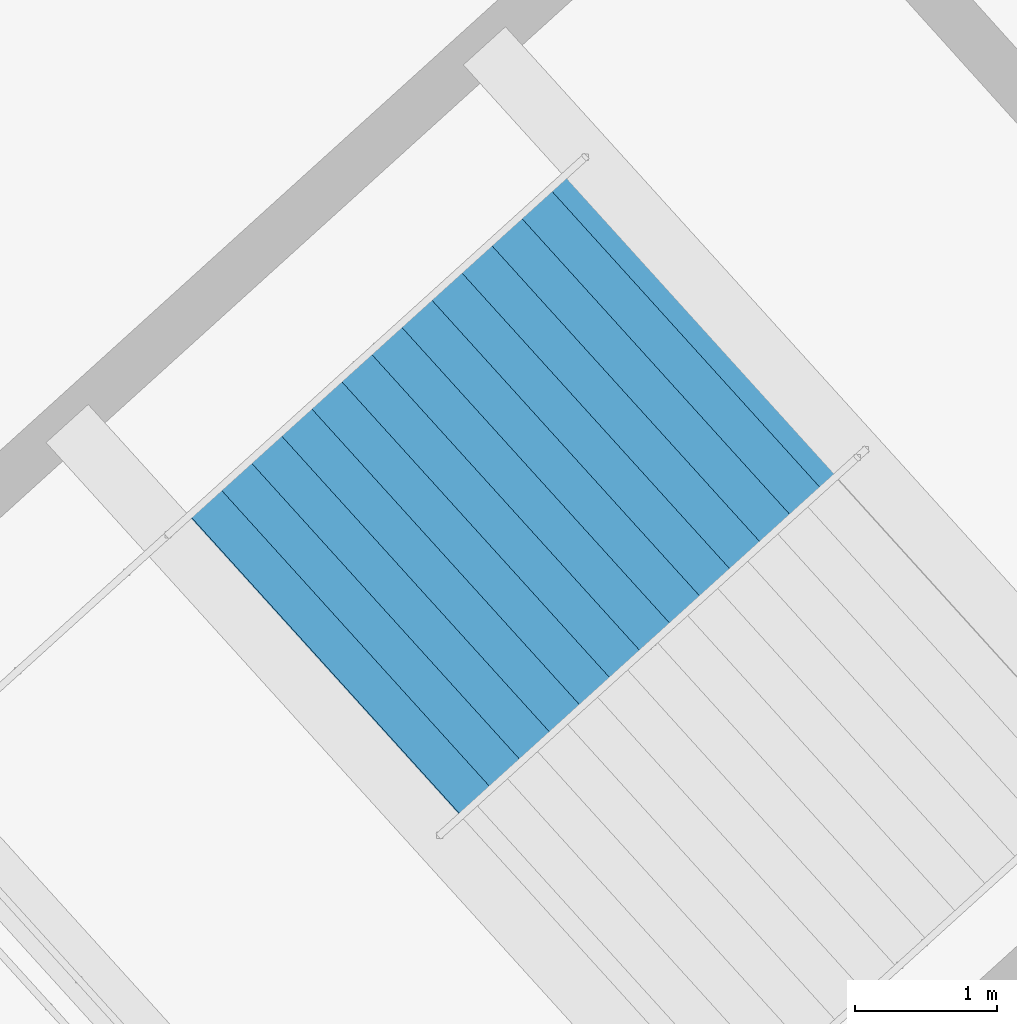
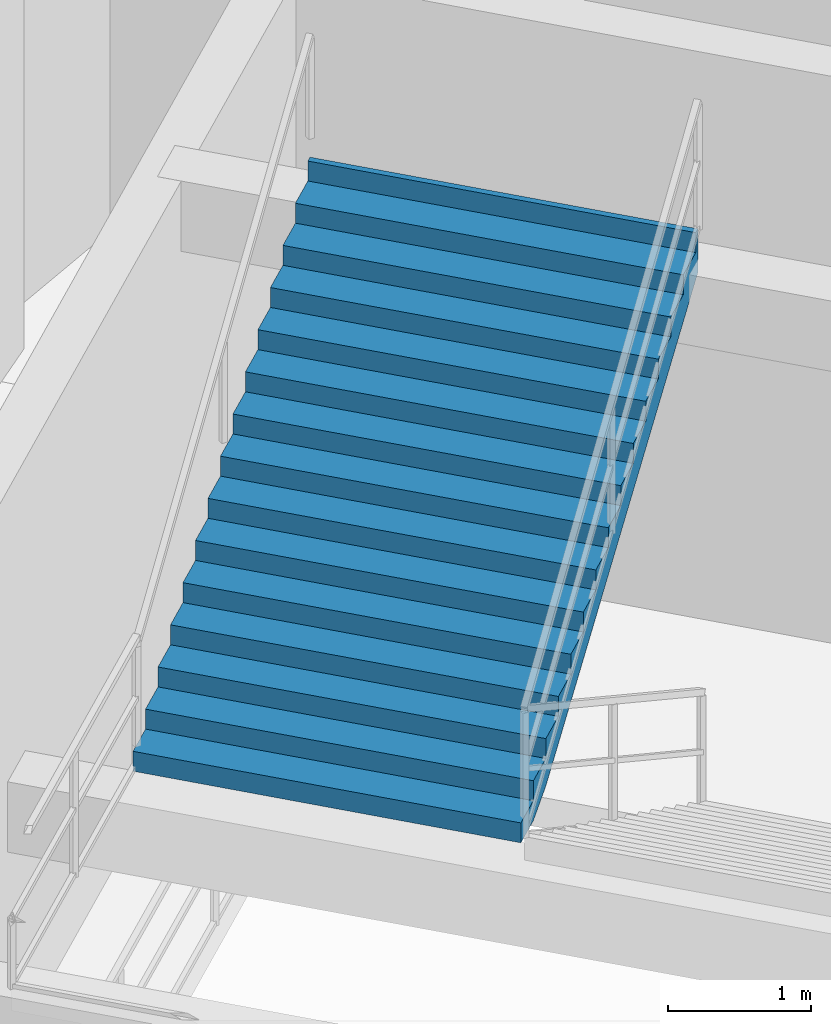
# One storey, part 170 of 184: 1 stair flight, 1 element without a shape of its own.
"""IFC4 building model written with IfcOpenShell, lengths in metres."""

import ifcopenshell
import ifcopenshell.guid

model = None  # the IFC model being written
_history = None  # IfcOwnerHistory: only IFC2X3 demands one
_inside = {}  # id of a spatial element -> (the spatial element, [elements in it])
_under = {}  # id of a project, library or spatial element -> (it, [spatial elements below it])
_declared = {}  # id of a project -> (the project, [libraries it declares])
_typed = {}  # id of a type object -> (the type object, [elements of that type])
_made_of = {}  # id of a material, layer set ... -> (it, [elements and type objects made of it])


def new_model(schema):
    """Start an empty IFC model of exactly this schema.

    Asked for "IFC4X3", IfcOpenShell would pick the latest addendum, in which some entities
    have other attributes; the version numbers below select the first issue.
    IFC2X3 requires an IfcOwnerHistory on every rooted entity: one is made here for all.
    """
    global model, _history
    if schema == "IFC4X3":
        model = ifcopenshell.file(schema_version=(4, 3, 0, 0))
    else:
        model = ifcopenshell.file(schema=schema)
    _inside.clear()
    _under.clear()
    _declared.clear()
    _typed.clear()
    _made_of.clear()
    _history = None
    if model.schema == "IFC2X3":
        org = make("IfcOrganization", Name="unknown")
        user = make(
            "IfcPersonAndOrganization",
            ThePerson=make("IfcPerson", FamilyName="unknown"),
            TheOrganization=org,
        )
        app = make(
            "IfcApplication",
            ApplicationDeveloper=org,
            Version="unknown",
            ApplicationFullName="unknown",
            ApplicationIdentifier="unknown",
        )
        _history = make(
            "IfcOwnerHistory",
            OwningUser=user,
            OwningApplication=app,
            ChangeAction="ADDED",
            CreationDate=0,
        )
    return model


def make(cls, **values):
    """One entity of the class cls with the attributes given. An attribute that is None is left unset."""
    return model.create_entity(
        cls, **{name: value for name, value in values.items() if value is not None}
    )


def rooted(cls, **values):
    """An entity with a GlobalId (a new one), such as an element, a storey or a relation."""
    return make(cls, GlobalId=ifcopenshell.guid.new(), OwnerHistory=_history, **values)


def si_unit(unit_type, name, prefix=None):
    """IfcSIUnit, for example si_unit("LENGTHUNIT", "METRE", prefix="MILLI")."""
    return make("IfcSIUnit", UnitType=unit_type, Prefix=prefix, Name=name)


def assignment(units):
    """IfcUnitAssignment: the units of a project."""
    return None if units is None else make("IfcUnitAssignment", Units=units)


def point(xyz):
    """IfcCartesianPoint."""
    return None if xyz is None else make("IfcCartesianPoint", Coordinates=xyz)


def direction(xyz):
    """IfcDirection."""
    return None if xyz is None else make("IfcDirection", DirectionRatios=xyz)


def frame(location, z_axis=None, x_axis=None):
    """IfcAxis2Placement3D, a coordinate frame: its origin and axes. An axis left out is left unset."""
    return make(
        "IfcAxis2Placement3D",
        Location=point(location),
        Axis=direction(z_axis),
        RefDirection=direction(x_axis),
    )


def origin():
    """The frame at (0, 0, 0) with its axes left unset."""
    return frame((0.0, 0.0, 0.0))


def place(relative_to, where):
    """IfcLocalPlacement: puts the frame where relative to a parent placement (None: the world)."""
    return make(
        "IfcLocalPlacement", PlacementRelTo=relative_to, RelativePlacement=where
    )


def context(
    kind, dimensions, precision=None, world=None, true_north=None, identifier=None
):
    """IfcGeometricRepresentationContext, for example the 3D "Model" context."""
    return make(
        "IfcGeometricRepresentationContext",
        ContextIdentifier=identifier,
        ContextType=kind,
        CoordinateSpaceDimension=dimensions,
        Precision=precision,
        WorldCoordinateSystem=world,
        TrueNorth=true_north,
    )


def subcontext(parent, identifier, kind, view, scale=None):
    """IfcGeometricRepresentationSubContext, for example "Body" below "Model"."""
    return make(
        "IfcGeometricRepresentationSubContext",
        ContextIdentifier=identifier,
        ContextType=kind,
        ParentContext=parent,
        TargetScale=scale,
        TargetView=view,
    )


def project(units=None, contexts=None):
    """IfcProject with its units and contexts."""
    return rooted(
        "IfcProject",
        Name="project",
        RepresentationContexts=contexts,
        UnitsInContext=assignment(units),
    )


def spatial(cls, under=None, at=None, **own):
    """A site, building, storey or space (cls), placed at a placement, below another one or the project."""
    s = rooted(cls, ObjectPlacement=at, **own)
    if under is not None:
        _under.setdefault(under.id(), (under, []))[1].append(s)
    return s


def point_list(points):
    """IfcCartesianPointList2D or 3D."""
    cls = (
        "IfcCartesianPointList2D" if len(points[0]) == 2 else "IfcCartesianPointList3D"
    )
    return make(cls, CoordList=points)


def polygons(points, faces, closed=None, point_numbers=None):
    """IfcPolygonalFaceSet: a face is its outer loop, then its inner loops; points numbered from 1."""
    made = []
    for loops in faces:
        if len(loops) == 1:
            made.append(make("IfcIndexedPolygonalFace", CoordIndex=loops[0]))
        else:
            made.append(
                make(
                    "IfcIndexedPolygonalFaceWithVoids",
                    CoordIndex=loops[0],
                    InnerCoordIndices=loops[1:],
                )
            )
    return make(
        "IfcPolygonalFaceSet",
        Coordinates=point_list(points),
        Closed=closed,
        Faces=made,
        PnIndex=point_numbers,
    )


def shape(context_of_items, identifier, shape_type, items):
    """IfcShapeRepresentation: the items that make up one representation, for example the "Body"."""
    return make(
        "IfcShapeRepresentation",
        ContextOfItems=context_of_items,
        RepresentationIdentifier=identifier,
        RepresentationType=shape_type,
        Items=items,
    )


def material(Name=None, Category=None):
    """IfcMaterial."""
    return make("IfcMaterial", Name=Name, Category=Category)


def made_of(thing, what):
    """Note that an element or type object is made of a material, layer set ...; save() writes the relation."""
    if what is not None:
        _made_of.setdefault(what.id(), (what, []))[1].append(thing)
    return thing


def type_object(cls, material=None, **own):
    """A type object (cls), such as IfcWallType, which elements share."""
    return made_of(rooted(cls, **own), material)


def element(
    cls,
    number,
    at=None,
    inside=None,
    cuts=None,
    type_object=None,
    material=None,
    context=None,
    identifier="Body",
    shape_type=None,
    held_by="IfcProductDefinitionShape",
    body=None,
    shapes=None,
    **own,
):
    """One element of the class cls, such as IfcWall. Its Tag is "e" and its number.

    at: its placement. inside: the storey or other place that contains it. cuts: it is an
    opening in that element (IfcRelVoidsElement). A single representation is given by context,
    identifier, shape_type and body (its items); several are given by shapes. held_by: the class
    of the entity that holds the representations. save() writes the other relations.
    """
    e = rooted(cls, Tag="e%d" % number, ObjectPlacement=at, **own)
    if body is not None:
        shapes = [shape(context, identifier, shape_type, body)]
    if shapes is not None:
        e.Representation = make(held_by, Representations=shapes)
    if inside is not None:
        _inside.setdefault(inside.id(), (inside, []))[1].append(e)
    if cuts is not None:
        rooted(
            "IfcRelVoidsElement", RelatingBuildingElement=cuts, RelatedOpeningElement=e
        )
    if type_object is not None:
        _typed.setdefault(type_object.id(), (type_object, []))[1].append(e)
    return made_of(e, material)


def aggregate(whole, parts):
    """IfcRelAggregates: a whole, such as a stair, and the parts it consists of."""
    return rooted("IfcRelAggregates", RelatingObject=whole, RelatedObjects=parts)


def save(model, path):
    """Write the relations noted so far, then the file.

    IfcRelAggregates (storeys below a building ...), IfcRelContainedInSpatialStructure (elements
    in a storey), IfcRelDefinesByType, IfcRelAssociatesMaterial and IfcRelDeclares: one each for
    every whole, place, type object, material and project.
    """
    for whole, parts in _under.values():
        aggregate(whole, parts)
    for where, things in _inside.values():
        rooted(
            "IfcRelContainedInSpatialStructure",
            RelatedElements=things,
            RelatingStructure=where,
        )
    for kind, things in _typed.values():
        rooted("IfcRelDefinesByType", RelatedObjects=things, RelatingType=kind)
    for what, things in _made_of.values():
        rooted("IfcRelAssociatesMaterial", RelatedObjects=things, RelatingMaterial=what)
    for by, libraries in _declared.values():
        rooted("IfcRelDeclares", RelatingContext=by, RelatedDefinitions=libraries)
    model.write(path)


model = new_model("IFC4")

# Units and contexts
model_context = context("Model", 3, precision=1e-05, world=origin(), true_north=direction((0.0, 1.0)))
body_context = subcontext(model_context, "Body", "Model", "MODEL_VIEW")
ifc_project = project(units=[si_unit("LENGTHUNIT", "METRE"), si_unit("AREAUNIT", "SQUARE_METRE"), si_unit("VOLUMEUNIT", "CUBIC_METRE"), si_unit("PLANEANGLEUNIT", "RADIAN"), si_unit("MASSUNIT", "GRAM", prefix="KILO")], contexts=[model_context])

# Site, building, storey
site_placement = place(None, origin())
site = spatial("IfcSite", under=ifc_project, at=site_placement, CompositionType="ELEMENT")
building_placement = place(site_placement, origin())
building = spatial("IfcBuilding", under=site, at=building_placement, Name="Kazemori Nagisa Stadium", CompositionType="ELEMENT")
storey_placement = place(building_placement, frame((0.0, 0.0, 10.5400390625)))
storey = spatial("IfcBuildingStorey", under=building, at=storey_placement, Name="L02", CompositionType="ELEMENT", Elevation=10.5400390625)

# Stair, stair flight
ifc_material = material(Name="Concrete C36/45 (Fc36)", Category="concrete")
stair_type = type_object("IfcStairType", Name="Stair_CORE_30", PredefinedType="TWO_STRAIGHT_RUN_STAIR", material=ifc_material)
stair_placement = place(storey_placement, origin())
stair = element("IfcStair", 1, at=stair_placement, inside=storey, type_object=stair_type, Name="Exit stair ST02 L02", PredefinedType="TWO_STRAIGHT_RUN_STAIR")
stair_flight_type = type_object("IfcStairFlightType", Name="Flight_CORE_15", PredefinedType="STRAIGHT", material=ifc_material)
stair_flight_placement = place(storey_placement, frame((58.257080078125, 163.9375, 2.550048828125), z_axis=(0.0, 0.0, 1.0), x_axis=(0.741356002691, 0.671111970742, 0.0)))
stair_flight = element("IfcStairFlight", 2, at=stair_flight_placement, type_object=stair_flight_type, Name="Exit stair ST02 L02 flight 2", NumberOfRisers=15, NumberOfTreads=14, PredefinedType="STRAIGHT", RiserHeight=0.17, TreadLength=0.285, context=body_context, shape_type="Tessellation", body=[
    polygons([(0.0, -1.425048828125, 0.0), (0.0, -1.425048828125, 0.169921875), (0.284912109375, -1.425048828125, 0.169921875), (0.284912109375, -1.425048828125, 0.340087890625), (0.570068359375, -1.425048828125, 0.340087890625), (0.570068359375, -1.425048828125, 0.510009765625), (0.85498046875, -1.425048828125, 0.510009765625), (0.85498046875, -1.425048828125, 0.679931640625), (1.139892578125, -1.425048828125, 0.679931640625), (1.139892578125, -1.425048828125, 0.85009765625), (1.425048828125, -1.425048828125, 0.85009765625), (1.425048828125, -1.425048828125, 1.02001953125), (1.7099609375, -1.425048828125, 1.02001953125), (1.7099609375, -1.425048828125, 1.18994140625), (1.9951171875, -1.425048828125, 1.18994140625), (1.9951171875, -1.425048828125, 1.360107421875), (2.280029296875, -1.425048828125, 1.360107421875), (2.280029296875, -1.425048828125, 1.530029296875), (2.56494140625, -1.425048828125, 1.530029296875), (2.56494140625, -1.425048828125, 1.699951171875), (2.85009765625, -1.425048828125, 1.699951171875), (2.85009765625, -1.425048828125, 1.8701171875), (3.135009765625, -1.425048828125, 1.8701171875), (3.135009765625, -1.425048828125, 2.0400390625), (3.419921875, -1.425048828125, 2.0400390625), (3.419921875, -1.425048828125, 2.2099609375), (3.705078125, -1.425048828125, 2.2099609375), (3.705078125, -1.425048828125, 2.3798828125), (3.989990234375, -1.425048828125, 2.3798828125), (3.989990234375, -1.425048828125, 2.550048828125), (4.0400390625, -1.425048828125, 2.550048828125), (4.0400390625, -1.425048828125, 2.177001953125), (3.989990234375, -1.425048828125, 2.147216796875), (3.705078125, -1.425048828125, 1.977294921875), (3.419921875, -1.425048828125, 1.80712890625), (3.135009765625, -1.425048828125, 1.63720703125), (2.85009765625, -1.425048828125, 1.46728515625), (2.56494140625, -1.425048828125, 1.297119140625), (2.280029296875, -1.425048828125, 1.127197265625), (1.9951171875, -1.425048828125, 0.957275390625), (1.7099609375, -1.425048828125, 0.787109375), (1.425048828125, -1.425048828125, 0.6171875), (1.139892578125, -1.425048828125, 0.447265625), (0.85498046875, -1.425048828125, 0.277099609375), (0.570068359375, -1.425048828125, 0.107177734375), (0.284912109375, -1.425048828125, 0.0), (0.0, -0.08544921875, 0.0), (0.0, -0.08544921875, 0.169921875), (0.284912109375, -0.08544921875, 0.169921875), (0.284912109375, -0.08544921875, 0.340087890625), (0.570068359375, -0.08544921875, 0.340087890625), (0.570068359375, -0.08544921875, 0.510009765625), (0.85498046875, -0.08544921875, 0.510009765625), (0.85498046875, -0.08544921875, 0.679931640625), (1.139892578125, -0.08544921875, 0.679931640625), (1.139892578125, -0.08544921875, 0.85009765625), (1.425048828125, -0.08544921875, 0.85009765625), (1.425048828125, -0.08544921875, 1.02001953125), (1.7099609375, -0.08544921875, 1.02001953125), (1.7099609375, -0.08544921875, 1.18994140625), (1.9951171875, -0.08544921875, 1.18994140625), (1.9951171875, -0.08544921875, 1.360107421875), (2.280029296875, -0.08544921875, 1.360107421875), (2.280029296875, -0.08544921875, 1.530029296875), (2.56494140625, -0.08544921875, 1.530029296875), (2.56494140625, -0.08544921875, 1.699951171875), (2.85009765625, -0.08544921875, 1.699951171875), (2.85009765625, -0.08544921875, 1.8701171875), (3.135009765625, -0.08544921875, 1.8701171875), (3.135009765625, -0.08544921875, 2.0400390625), (3.419921875, -0.08544921875, 2.0400390625), (3.419921875, -0.08544921875, 2.2099609375), (3.705078125, -0.08544921875, 2.2099609375), (3.705078125, -0.08544921875, 2.3798828125), (3.989990234375, -0.08544921875, 2.3798828125), (3.989990234375, -0.08544921875, 2.550048828125), (4.0400390625, -0.08544921875, 2.550048828125), (4.0400390625, -0.08544921875, 2.177001953125), (3.989990234375, -0.08544921875, 2.147216796875), (3.705078125, -0.08544921875, 1.977294921875), (3.419921875, -0.08544921875, 1.80712890625), (3.135009765625, -0.08544921875, 1.63720703125), (2.85009765625, -0.08544921875, 1.46728515625), (2.56494140625, -0.08544921875, 1.297119140625), (2.280029296875, -0.08544921875, 1.127197265625), (1.9951171875, -0.08544921875, 0.957275390625), (1.7099609375, -0.08544921875, 0.787109375), (1.425048828125, -0.08544921875, 0.6171875), (1.139892578125, -0.08544921875, 0.447265625), (0.85498046875, -0.08544921875, 0.277099609375), (0.570068359375, -0.08544921875, 0.107177734375), (0.284912109375, -0.08544921875, 0.0), (0.0, 0.0, 0.0), (0.0, 0.0, 0.169921875), (0.284912109375, 0.0, 0.169921875), (0.284912109375, 0.0, 0.340087890625), (0.570068359375, 0.0, 0.340087890625), (0.570068359375, 0.0, 0.510009765625), (0.85498046875, 0.0, 0.510009765625), (0.85498046875, 0.0, 0.679931640625), (1.139892578125, 0.0, 0.679931640625), (1.139892578125, 0.0, 0.85009765625), (1.425048828125, 0.0, 0.85009765625), (1.425048828125, 0.0, 1.02001953125), (1.7099609375, 0.0, 1.02001953125), (1.7099609375, 0.0, 1.18994140625), (1.9951171875, 0.0, 1.18994140625), (1.9951171875, 0.0, 1.360107421875), (2.280029296875, 0.0, 1.360107421875), (2.280029296875, 0.0, 1.530029296875), (2.56494140625, 0.0, 1.530029296875), (2.56494140625, 0.0, 1.699951171875), (2.85009765625, 0.0, 1.699951171875), (2.85009765625, 0.0, 1.8701171875), (3.135009765625, 0.0, 1.8701171875), (3.135009765625, 0.0, 2.0400390625), (3.419921875, 0.0, 2.0400390625), (3.419921875, 0.0, 2.2099609375), (3.705078125, 0.0, 2.2099609375), (3.705078125, 0.0, 2.3798828125), (3.989990234375, 0.0, 2.3798828125), (3.989990234375, 0.0, 2.550048828125), (4.0400390625, 0.0, 2.550048828125), (4.0400390625, 0.0, 2.177001953125), (3.989990234375, 0.0, 2.147216796875), (3.705078125, 0.0, 1.977294921875), (3.419921875, 0.0, 1.80712890625), (3.135009765625, 0.0, 1.63720703125), (2.85009765625, 0.0, 1.46728515625), (2.56494140625, 0.0, 1.297119140625), (2.280029296875, 0.0, 1.127197265625), (1.9951171875, 0.0, 0.957275390625), (1.7099609375, 0.0, 0.787109375), (1.425048828125, 0.0, 0.6171875), (1.139892578125, 0.0, 0.447265625), (0.85498046875, 0.0, 0.277099609375), (0.570068359375, 0.0, 0.107177734375), (0.284912109375, 0.0, 0.0), (0.0, 0.08544921875, 0.0), (0.0, 0.08544921875, 0.169921875), (0.284912109375, 0.08544921875, 0.169921875), (0.284912109375, 0.08544921875, 0.340087890625), (0.570068359375, 0.08544921875, 0.340087890625), (0.570068359375, 0.08544921875, 0.510009765625), (0.85498046875, 0.08544921875, 0.510009765625), (0.85498046875, 0.08544921875, 0.679931640625), (1.139892578125, 0.08544921875, 0.679931640625), (1.139892578125, 0.08544921875, 0.85009765625), (1.425048828125, 0.08544921875, 0.85009765625), (1.425048828125, 0.08544921875, 1.02001953125), (1.7099609375, 0.08544921875, 1.02001953125), (1.7099609375, 0.08544921875, 1.18994140625), (1.9951171875, 0.08544921875, 1.18994140625), (1.9951171875, 0.08544921875, 1.360107421875), (2.280029296875, 0.08544921875, 1.360107421875), (2.280029296875, 0.08544921875, 1.530029296875), (2.56494140625, 0.08544921875, 1.530029296875), (2.56494140625, 0.08544921875, 1.699951171875), (2.85009765625, 0.08544921875, 1.699951171875), (2.85009765625, 0.08544921875, 1.8701171875), (3.135009765625, 0.08544921875, 1.8701171875), (3.135009765625, 0.08544921875, 2.0400390625), (3.419921875, 0.08544921875, 2.0400390625), (3.419921875, 0.08544921875, 2.2099609375), (3.705078125, 0.08544921875, 2.2099609375), (3.705078125, 0.08544921875, 2.3798828125), (3.989990234375, 0.08544921875, 2.3798828125), (3.989990234375, 0.08544921875, 2.550048828125), (4.0400390625, 0.08544921875, 2.550048828125), (4.0400390625, 0.08544921875, 2.177001953125), (3.989990234375, 0.08544921875, 2.147216796875), (3.705078125, 0.08544921875, 1.977294921875), (3.419921875, 0.08544921875, 1.80712890625), (3.135009765625, 0.08544921875, 1.63720703125), (2.85009765625, 0.08544921875, 1.46728515625), (2.56494140625, 0.08544921875, 1.297119140625), (2.280029296875, 0.08544921875, 1.127197265625), (1.9951171875, 0.08544921875, 0.957275390625), (1.7099609375, 0.08544921875, 0.787109375), (1.425048828125, 0.08544921875, 0.6171875), (1.139892578125, 0.08544921875, 0.447265625), (0.85498046875, 0.08544921875, 0.277099609375), (0.570068359375, 0.08544921875, 0.107177734375), (0.284912109375, 0.08544921875, 0.0), (0.0, 1.425048828125, 0.0), (0.0, 1.425048828125, 0.169921875), (0.284912109375, 1.425048828125, 0.169921875), (0.284912109375, 1.425048828125, 0.340087890625), (0.570068359375, 1.425048828125, 0.340087890625), (0.570068359375, 1.425048828125, 0.510009765625), (0.85498046875, 1.425048828125, 0.510009765625), (0.85498046875, 1.425048828125, 0.679931640625), (1.139892578125, 1.425048828125, 0.679931640625), (1.139892578125, 1.425048828125, 0.85009765625), (1.425048828125, 1.425048828125, 0.85009765625), (1.425048828125, 1.425048828125, 1.02001953125), (1.7099609375, 1.425048828125, 1.02001953125), (1.7099609375, 1.425048828125, 1.18994140625), (1.9951171875, 1.425048828125, 1.18994140625), (1.9951171875, 1.425048828125, 1.360107421875), (2.280029296875, 1.425048828125, 1.360107421875), (2.280029296875, 1.425048828125, 1.530029296875), (2.56494140625, 1.425048828125, 1.530029296875), (2.56494140625, 1.425048828125, 1.699951171875), (2.85009765625, 1.425048828125, 1.699951171875), (2.85009765625, 1.425048828125, 1.8701171875), (3.135009765625, 1.425048828125, 1.8701171875), (3.135009765625, 1.425048828125, 2.0400390625), (3.419921875, 1.425048828125, 2.0400390625), (3.419921875, 1.425048828125, 2.2099609375), (3.705078125, 1.425048828125, 2.2099609375), (3.705078125, 1.425048828125, 2.3798828125), (3.989990234375, 1.425048828125, 2.3798828125), (3.989990234375, 1.425048828125, 2.550048828125), (4.0400390625, 1.425048828125, 2.550048828125), (4.0400390625, 1.425048828125, 2.177001953125), (3.989990234375, 1.425048828125, 2.147216796875), (3.705078125, 1.425048828125, 1.977294921875), (3.419921875, 1.425048828125, 1.80712890625), (3.135009765625, 1.425048828125, 1.63720703125), (2.85009765625, 1.425048828125, 1.46728515625), (2.56494140625, 1.425048828125, 1.297119140625), (2.280029296875, 1.425048828125, 1.127197265625), (1.9951171875, 1.425048828125, 0.957275390625), (1.7099609375, 1.425048828125, 0.787109375), (1.425048828125, 1.425048828125, 0.6171875), (1.139892578125, 1.425048828125, 0.447265625), (0.85498046875, 1.425048828125, 0.277099609375), (0.570068359375, 1.425048828125, 0.107177734375), (0.284912109375, 1.425048828125, 0.0)], [[[1, 2, 48]], [[1, 48, 47]], [[2, 3, 49]], [[2, 49, 48]], [[3, 4, 50]], [[3, 50, 49]], [[4, 5, 51]], [[4, 51, 50]], [[5, 6, 52]], [[5, 52, 51]], [[6, 7, 53]], [[6, 53, 52]], [[7, 8, 54]], [[7, 54, 53]], [[8, 9, 55]], [[8, 55, 54]], [[9, 10, 56]], [[9, 56, 55]], [[10, 11, 57]], [[10, 57, 56]], [[11, 12, 58]], [[11, 58, 57]], [[12, 13, 59]], [[12, 59, 58]], [[13, 14, 60]], [[13, 60, 59]], [[14, 15, 61]], [[14, 61, 60]], [[15, 16, 62]], [[15, 62, 61]], [[16, 17, 63]], [[16, 63, 62]], [[17, 18, 64]], [[17, 64, 63]], [[18, 19, 65]], [[18, 65, 64]], [[19, 20, 66]], [[19, 66, 65]], [[20, 21, 67]], [[20, 67, 66]], [[21, 22, 68]], [[21, 68, 67]], [[22, 23, 69]], [[22, 69, 68]], [[23, 24, 70]], [[23, 70, 69]], [[24, 25, 71]], [[24, 71, 70]], [[25, 26, 72]], [[25, 72, 71]], [[26, 27, 73]], [[26, 73, 72]], [[27, 28, 74]], [[27, 74, 73]], [[28, 29, 75]], [[28, 75, 74]], [[29, 30, 76]], [[29, 76, 75]], [[30, 31, 77]], [[30, 77, 76]], [[31, 32, 78]], [[31, 78, 77]], [[32, 33, 79]], [[32, 79, 78]], [[33, 34, 80]], [[33, 80, 79]], [[34, 35, 81]], [[34, 81, 80]], [[35, 36, 82]], [[35, 82, 81]], [[36, 37, 83]], [[36, 83, 82]], [[37, 38, 84]], [[37, 84, 83]], [[38, 39, 85]], [[38, 85, 84]], [[39, 40, 86]], [[39, 86, 85]], [[40, 41, 87]], [[40, 87, 86]], [[41, 42, 88]], [[41, 88, 87]], [[42, 43, 89]], [[42, 89, 88]], [[43, 44, 90]], [[43, 90, 89]], [[44, 45, 91]], [[44, 91, 90]], [[45, 46, 92]], [[45, 92, 91]], [[46, 1, 47]], [[46, 47, 92]], [[47, 48, 94]], [[47, 94, 93]], [[48, 49, 95]], [[48, 95, 94]], [[49, 50, 96]], [[49, 96, 95]], [[50, 51, 97]], [[50, 97, 96]], [[51, 52, 98]], [[51, 98, 97]], [[52, 53, 99]], [[52, 99, 98]], [[53, 54, 100]], [[53, 100, 99]], [[54, 55, 101]], [[54, 101, 100]], [[55, 56, 102]], [[55, 102, 101]], [[56, 57, 103]], [[56, 103, 102]], [[57, 58, 104]], [[57, 104, 103]], [[58, 59, 105]], [[58, 105, 104]], [[59, 60, 106]], [[59, 106, 105]], [[60, 61, 107]], [[60, 107, 106]], [[61, 62, 108]], [[61, 108, 107]], [[62, 63, 109]], [[62, 109, 108]], [[63, 64, 110]], [[63, 110, 109]], [[64, 65, 111]], [[64, 111, 110]], [[65, 66, 112]], [[65, 112, 111]], [[66, 67, 113]], [[66, 113, 112]], [[67, 68, 114]], [[67, 114, 113]], [[68, 69, 115]], [[68, 115, 114]], [[69, 70, 116]], [[69, 116, 115]], [[70, 71, 117]], [[70, 117, 116]], [[71, 72, 118]], [[71, 118, 117]], [[72, 73, 119]], [[72, 119, 118]], [[73, 74, 120]], [[73, 120, 119]], [[74, 75, 121]], [[74, 121, 120]], [[75, 76, 122]], [[75, 122, 121]], [[76, 77, 123]], [[76, 123, 122]], [[77, 78, 124]], [[77, 124, 123]], [[78, 79, 125]], [[78, 125, 124]], [[79, 80, 126]], [[79, 126, 125]], [[80, 81, 127]], [[80, 127, 126]], [[81, 82, 128]], [[81, 128, 127]], [[82, 83, 129]], [[82, 129, 128]], [[83, 84, 130]], [[83, 130, 129]], [[84, 85, 131]], [[84, 131, 130]], [[85, 86, 132]], [[85, 132, 131]], [[86, 87, 133]], [[86, 133, 132]], [[87, 88, 134]], [[87, 134, 133]], [[88, 89, 135]], [[88, 135, 134]], [[89, 90, 136]], [[89, 136, 135]], [[90, 91, 137]], [[90, 137, 136]], [[91, 92, 138]], [[91, 138, 137]], [[92, 47, 93]], [[92, 93, 138]], [[93, 94, 140]], [[93, 140, 139]], [[94, 95, 141]], [[94, 141, 140]], [[95, 96, 142]], [[95, 142, 141]], [[96, 97, 143]], [[96, 143, 142]], [[97, 98, 144]], [[97, 144, 143]], [[98, 99, 145]], [[98, 145, 144]], [[99, 100, 146]], [[99, 146, 145]], [[100, 101, 147]], [[100, 147, 146]], [[101, 102, 148]], [[101, 148, 147]], [[102, 103, 149]], [[102, 149, 148]], [[103, 104, 150]], [[103, 150, 149]], [[104, 105, 151]], [[104, 151, 150]], [[105, 106, 152]], [[105, 152, 151]], [[106, 107, 153]], [[106, 153, 152]], [[107, 108, 154]], [[107, 154, 153]], [[108, 109, 155]], [[108, 155, 154]], [[109, 110, 156]], [[109, 156, 155]], [[110, 111, 157]], [[110, 157, 156]], [[111, 112, 158]], [[111, 158, 157]], [[112, 113, 159]], [[112, 159, 158]], [[113, 114, 160]], [[113, 160, 159]], [[114, 115, 161]], [[114, 161, 160]], [[115, 116, 162]], [[115, 162, 161]], [[116, 117, 163]], [[116, 163, 162]], [[117, 118, 164]], [[117, 164, 163]], [[118, 119, 165]], [[118, 165, 164]], [[119, 120, 166]], [[119, 166, 165]], [[120, 121, 167]], [[120, 167, 166]], [[121, 122, 168]], [[121, 168, 167]], [[122, 123, 169]], [[122, 169, 168]], [[123, 124, 170]], [[123, 170, 169]], [[124, 125, 171]], [[124, 171, 170]], [[125, 126, 172]], [[125, 172, 171]], [[126, 127, 173]], [[126, 173, 172]], [[127, 128, 174]], [[127, 174, 173]], [[128, 129, 175]], [[128, 175, 174]], [[129, 130, 176]], [[129, 176, 175]], [[130, 131, 177]], [[130, 177, 176]], [[131, 132, 178]], [[131, 178, 177]], [[132, 133, 179]], [[132, 179, 178]], [[133, 134, 180]], [[133, 180, 179]], [[134, 135, 181]], [[134, 181, 180]], [[135, 136, 182]], [[135, 182, 181]], [[136, 137, 183]], [[136, 183, 182]], [[137, 138, 184]], [[137, 184, 183]], [[138, 93, 139]], [[138, 139, 184]], [[139, 140, 186]], [[139, 186, 185]], [[140, 141, 187]], [[140, 187, 186]], [[141, 142, 188]], [[141, 188, 187]], [[142, 143, 189]], [[142, 189, 188]], [[143, 144, 190]], [[143, 190, 189]], [[144, 145, 191]], [[144, 191, 190]], [[145, 146, 192]], [[145, 192, 191]], [[146, 147, 193]], [[146, 193, 192]], [[147, 148, 194]], [[147, 194, 193]], [[148, 149, 195]], [[148, 195, 194]], [[149, 150, 196]], [[149, 196, 195]], [[150, 151, 197]], [[150, 197, 196]], [[151, 152, 198]], [[151, 198, 197]], [[152, 153, 199]], [[152, 199, 198]], [[153, 154, 200]], [[153, 200, 199]], [[154, 155, 201]], [[154, 201, 200]], [[155, 156, 202]], [[155, 202, 201]], [[156, 157, 203]], [[156, 203, 202]], [[157, 158, 204]], [[157, 204, 203]], [[158, 159, 205]], [[158, 205, 204]], [[159, 160, 206]], [[159, 206, 205]], [[160, 161, 207]], [[160, 207, 206]], [[161, 162, 208]], [[161, 208, 207]], [[162, 163, 209]], [[162, 209, 208]], [[163, 164, 210]], [[163, 210, 209]], [[164, 165, 211]], [[164, 211, 210]], [[165, 166, 212]], [[165, 212, 211]], [[166, 167, 213]], [[166, 213, 212]], [[167, 168, 214]], [[167, 214, 213]], [[168, 169, 215]], [[168, 215, 214]], [[169, 170, 216]], [[169, 216, 215]], [[170, 171, 217]], [[170, 217, 216]], [[171, 172, 218]], [[171, 218, 217]], [[172, 173, 219]], [[172, 219, 218]], [[173, 174, 220]], [[173, 220, 219]], [[174, 175, 221]], [[174, 221, 220]], [[175, 176, 222]], [[175, 222, 221]], [[176, 177, 223]], [[176, 223, 222]], [[177, 178, 224]], [[177, 224, 223]], [[178, 179, 225]], [[178, 225, 224]], [[179, 180, 226]], [[179, 226, 225]], [[180, 181, 227]], [[180, 227, 226]], [[181, 182, 228]], [[181, 228, 227]], [[182, 183, 229]], [[182, 229, 228]], [[183, 184, 230]], [[183, 230, 229]], [[184, 139, 185]], [[184, 185, 230]], [[3, 2, 1]], [[185, 186, 187]], [[46, 3, 1]], [[185, 187, 230]], [[45, 3, 46]], [[230, 187, 229]], [[5, 3, 45]], [[229, 187, 189]], [[5, 4, 3]], [[187, 188, 189]], [[44, 5, 45]], [[229, 189, 228]], [[7, 5, 44]], [[228, 189, 191]], [[7, 6, 5]], [[189, 190, 191]], [[43, 7, 44]], [[228, 191, 227]], [[9, 7, 43]], [[227, 191, 193]], [[9, 8, 7]], [[191, 192, 193]], [[42, 9, 43]], [[227, 193, 226]], [[11, 9, 42]], [[226, 193, 195]], [[11, 10, 9]], [[193, 194, 195]], [[41, 11, 42]], [[226, 195, 225]], [[13, 11, 41]], [[225, 195, 197]], [[13, 12, 11]], [[195, 196, 197]], [[40, 13, 41]], [[225, 197, 224]], [[15, 13, 40]], [[224, 197, 199]], [[15, 14, 13]], [[197, 198, 199]], [[39, 15, 40]], [[224, 199, 223]], [[17, 15, 39]], [[223, 199, 201]], [[17, 16, 15]], [[199, 200, 201]], [[38, 17, 39]], [[223, 201, 222]], [[19, 17, 38]], [[222, 201, 203]], [[19, 18, 17]], [[201, 202, 203]], [[37, 19, 38]], [[222, 203, 221]], [[21, 19, 37]], [[221, 203, 205]], [[21, 20, 19]], [[203, 204, 205]], [[36, 21, 37]], [[221, 205, 220]], [[23, 21, 36]], [[220, 205, 207]], [[23, 22, 21]], [[205, 206, 207]], [[35, 23, 36]], [[220, 207, 219]], [[25, 23, 35]], [[219, 207, 209]], [[25, 24, 23]], [[207, 208, 209]], [[34, 25, 35]], [[219, 209, 218]], [[27, 25, 34]], [[218, 209, 211]], [[27, 26, 25]], [[209, 210, 211]], [[33, 27, 34]], [[218, 211, 217]], [[29, 27, 33]], [[217, 211, 213]], [[29, 28, 27]], [[211, 212, 213]], [[32, 29, 33]], [[217, 213, 216]], [[31, 29, 32]], [[216, 213, 215]], [[31, 30, 29]], [[213, 214, 215]]], closed=True),
])
aggregate(stair, [stair_flight])

save(model, "model.ifc")
